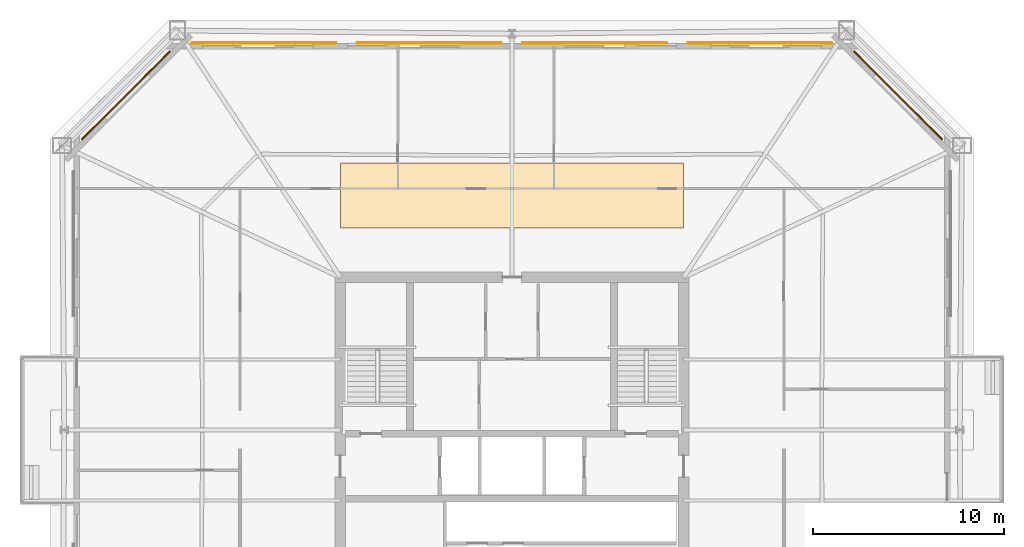
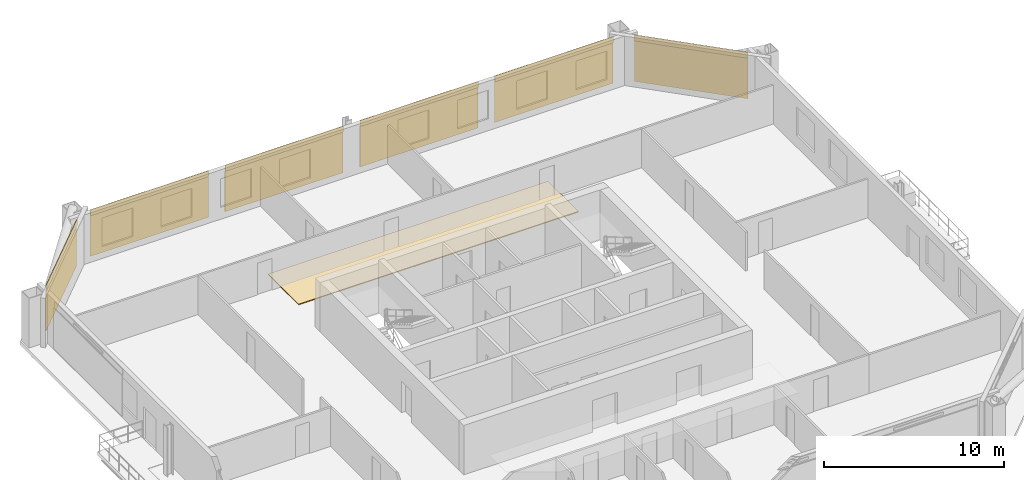
# One storey, part 8 of 8: 7 coverings, 6 shading devices.
"""IFC4 building model written with IfcOpenShell, lengths in metres."""

from ifc_helpers import new_model, si_unit, direction, frame, origin, origin_2d, place, context, subcontext, project, spatial, polyline, rectangle, outline, extrude, material, layer, layer_set, type_object, element, save


model = new_model("IFC4")

# Units and contexts
model_context = context("Model", 3, precision=1e-05, world=origin(), true_north=direction((0.0, 1.0)))
body_context = subcontext(model_context, "Body", "Model", "MODEL_VIEW")
ifc_project = project(units=[si_unit("LENGTHUNIT", "METRE"), si_unit("AREAUNIT", "SQUARE_METRE"), si_unit("VOLUMEUNIT", "CUBIC_METRE"), si_unit("PLANEANGLEUNIT", "RADIAN"), si_unit("MASSUNIT", "GRAM", prefix="KILO")], contexts=[model_context])

# Site, building, storey
site_placement = place(None, origin())
site = spatial("IfcSite", under=ifc_project, at=site_placement, CompositionType="ELEMENT")
building_placement = place(site_placement, origin())
building = spatial("IfcBuilding", under=site, at=building_placement, Name="Caelvoria Tower", CompositionType="ELEMENT")
storey_placement = place(building_placement, frame((0.0, 0.0, 142.0)))
storey = spatial("IfcBuildingStorey", under=building, at=storey_placement, Name="L37", CompositionType="ELEMENT", Elevation=142.0)

# Coverings
ifc_material_1 = material(Name="Perforated Architectural Bronze Cladding Screen", Category="bronze")
ifc_layer_1 = layer(ifc_material_1, 0.0400390625, Name="Perforated Architectural Bronze Cladding Screen")
ifc_layer_set_1 = layer_set([ifc_layer_1], Name="Perforated Bronze Louvre Cladding Band 40 - Perforated Architectural Bronze Cladding Screen")
covering_type_1 = type_object("IfcCoveringType", Name="Perforated Bronze Louvre Cladding Band 40", PredefinedType="CLADDING", material=ifc_layer_set_1)
covering_1_placement = place(storey_placement, frame((66.231689453125, 49.53173828125, 2.93994140625), z_axis=(0.0, 0.0, 1.0), x_axis=(-0.707106781187, 0.707106781187, 0.0)))
element("IfcCovering", 1, at=covering_1_placement, inside=storey, type_object=covering_type_1, Name="Perforated Bronze Screen Band L37-E3-00", PredefinedType="CLADDING", context=body_context, shape_type="SweptSolid", body=[
    extrude(rectangle(XDim=6.55419921875, YDim=0.0400390625, at=origin_2d()), origin(), (0.0, 0.0, 1.0), 0.39990234375),
])
for number, where, z_axis, x_axis, name in (
    (2, (59.0048828125, 52.27197265625, 2.93994140625), (0.0, 0.0, 1.0), (-1.0, 0.0, 0.0), "Perforated Bronze Screen Band L37-E4-00"),
    (3, (50.3349609375, 52.27197265625, 2.93994140625), (0.0, 0.0, 1.0), (-1.0, 0.0, 0.0), "Perforated Bronze Screen Band L37-E4-01"),
    (4, (41.6650390625, 52.27197265625, 2.93994140625), (0.0, 0.0, 1.0), (-1.0, 0.0, 0.0), "Perforated Bronze Screen Band L37-E4-02"),
    (5, (32.9951171875, 52.27197265625, 2.93994140625), (0.0, 0.0, 1.0), (-1.0, 0.0, 0.0), "Perforated Bronze Screen Band L37-E4-03"),
):
    element("IfcCovering", number, at=place(storey_placement, frame(where, z_axis=z_axis, x_axis=x_axis)), inside=storey, type_object=covering_type_1, Name=name, PredefinedType="CLADDING", context=body_context, shape_type="SweptSolid", body=[
        extrude(rectangle(XDim=7.60009765625, YDim=0.0400390625, at=origin_2d()), origin(), (0.0, 0.0, 1.0), 0.39990234375),
    ])
covering_2_placement = place(storey_placement, frame((25.768310546875, 49.53173828125, 2.93994140625), z_axis=(0.0, 0.0, 1.0), x_axis=(-0.707106781187, -0.707106781187, 0.0)))
element("IfcCovering", 6, at=covering_2_placement, inside=storey, type_object=covering_type_1, Name="Perforated Bronze Screen Band L37-E5-00", PredefinedType="CLADDING", context=body_context, shape_type="SweptSolid", body=[
    extrude(rectangle(XDim=6.55419921875, YDim=0.0400390625, at=origin_2d()), origin(), (0.0, 0.0, 1.0), 0.39990234375),
])

# Shading devices
ifc_material_2 = material(Name="Perforated Architectural Bronze Alloy Panel", Category="bronze")
ifc_layer_2 = layer(ifc_material_2, 0.044921875, Name="Perforated Architectural Bronze Alloy Panel")
ifc_layer_set_2 = layer_set([ifc_layer_2], Name="Perforated Bronze Solar Screen Panel SCREEN - Perforated Architectural Bronze Alloy Panel")
shading_device_type = type_object("IfcShadingDeviceType", Name="Perforated Bronze Solar Screen Panel SCREEN", PredefinedType="USERDEFINED", material=ifc_layer_set_2)
shading_device_1_placement = place(storey_placement, frame((66.26220703125, 49.56201171875, 0.159912109375), z_axis=(0.0, 0.0, 1.0), x_axis=(-0.707106781187, 0.707106781187, 0.0)))
element("IfcShadingDevice", 7, at=shading_device_1_placement, inside=storey, type_object=shading_device_type, Name="Perforated Bronze Solar Screen L37-E3-00", ObjectType="SCREEN", PredefinedType="USERDEFINED", context=body_context, shape_type="SweptSolid", body=[
    extrude(rectangle(XDim=6.55419921875, YDim=0.044921875, at=origin_2d()), origin(), (0.0, 0.0, 1.0), 2.75),
])
for number, where, z_axis, x_axis, name in (
    (8, (59.0048828125, 52.31494140625, 0.159912109375), (0.0, 0.0, 1.0), (-1.0, 0.0, 0.0), "Perforated Bronze Solar Screen L37-E4-00"),
    (9, (50.3349609375, 52.31494140625, 0.159912109375), (0.0, 0.0, 1.0), (-1.0, 0.0, 0.0), "Perforated Bronze Solar Screen L37-E4-01"),
    (10, (41.6650390625, 52.31494140625, 0.159912109375), (0.0, 0.0, 1.0), (-1.0, 0.0, 0.0), "Perforated Bronze Solar Screen L37-E4-02"),
    (11, (32.9951171875, 52.31494140625, 0.159912109375), (0.0, 0.0, 1.0), (-1.0, 0.0, 0.0), "Perforated Bronze Solar Screen L37-E4-03"),
):
    element("IfcShadingDevice", number, at=place(storey_placement, frame(where, z_axis=z_axis, x_axis=x_axis)), inside=storey, type_object=shading_device_type, Name=name, ObjectType="SCREEN", PredefinedType="USERDEFINED", context=body_context, shape_type="SweptSolid", body=[
        extrude(rectangle(XDim=7.60009765625, YDim=0.044921875, at=origin_2d()), origin(), (0.0, 0.0, 1.0), 2.75),
    ])
shading_device_2_placement = place(storey_placement, frame((25.73779296875, 49.56201171875, 0.159912109375), z_axis=(0.0, 0.0, 1.0), x_axis=(-0.707106781187, -0.707106781187, 0.0)))
element("IfcShadingDevice", 12, at=shading_device_2_placement, inside=storey, type_object=shading_device_type, Name="Perforated Bronze Solar Screen L37-E5-00", ObjectType="SCREEN", PredefinedType="USERDEFINED", context=body_context, shape_type="SweptSolid", body=[
    extrude(rectangle(XDim=6.55419921875, YDim=0.044921875, at=origin_2d()), origin(), (0.0, 0.0, 1.0), 2.75),
])

# Covering
ifc_material_3 = material(Name="Calcium-Sulphate Raised Floor Tile", Category="gypsum")
ifc_layer_3 = layer(ifc_material_3, 0.06005859375, Name="Calcium-Sulphate Raised Floor Tile")
ifc_layer_set_3 = layer_set([ifc_layer_3], Name="Raised Access Office Floor System 120 - Calcium-Sulphate Raised Floor Tile")
covering_type_2 = type_object("IfcCoveringType", Name="Raised Access Office Floor System 120", PredefinedType="FLOORING", material=ifc_layer_set_3)
covering_3_placement = place(storey_placement, origin())
element("IfcCovering", 13, at=covering_3_placement, inside=storey, type_object=covering_type_2, Name="Raised Access Flooring L37", PredefinedType="FLOORING", context=body_context, shape_type="SweptSolid", body=[
    extrude(outline(polyline([(37.0, 42.60009765625), (55.0, 42.60009765625), (55.0, 46.0), (37.0, 46.0), (37.0, 42.60009765625)])), origin(), (0.0, 0.0, 1.0), 0.06005859375),
])

save(model, "model.ifc")
